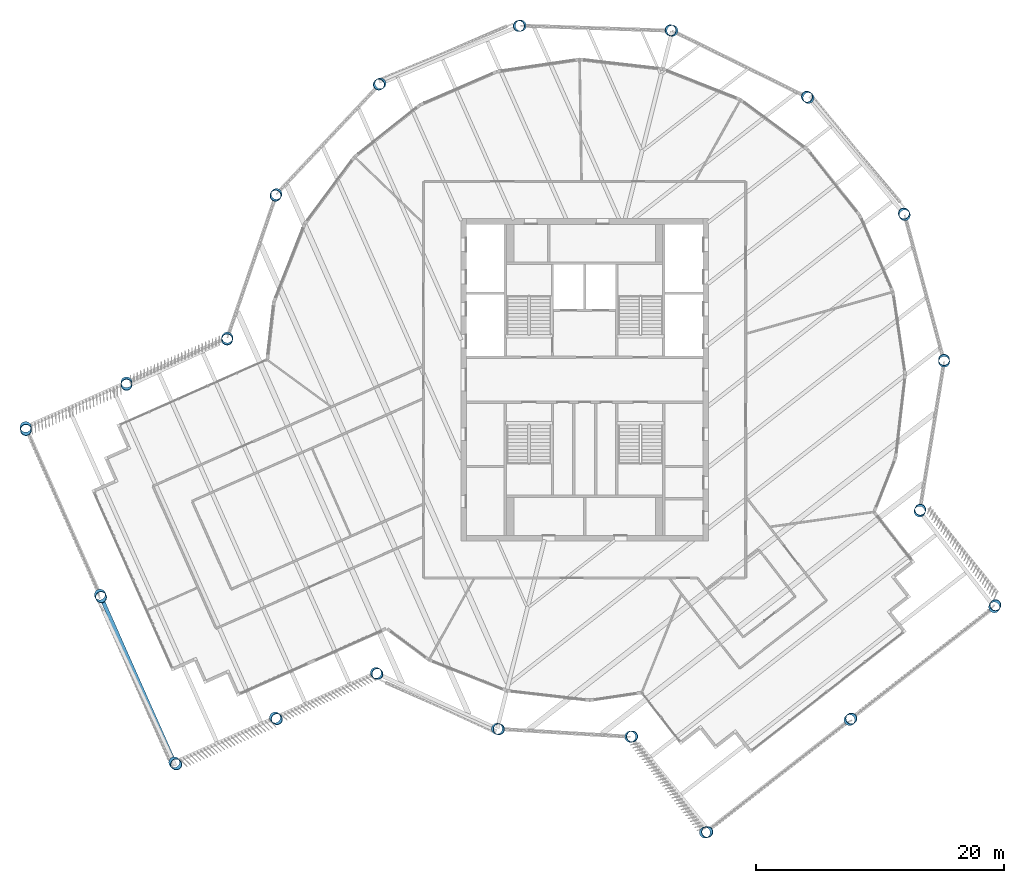
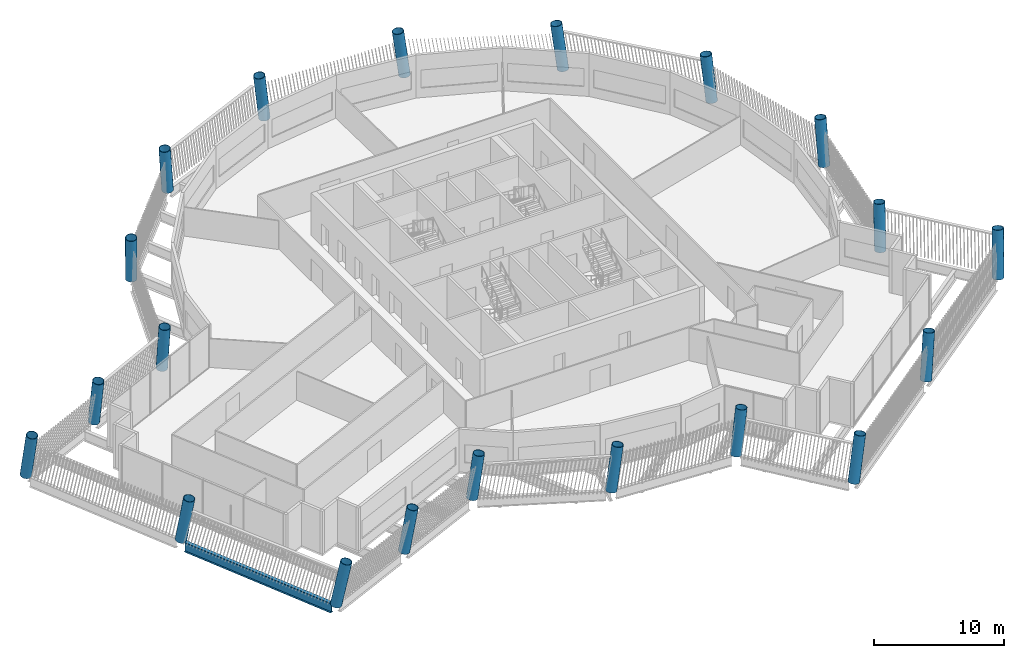
# One storey, part 1 of 28: 20 columns, 1 beam.
"""IFC4 building model written with IfcOpenShell, lengths in metres."""

from ifc_helpers import new_model, si_unit, direction, frame, origin, origin_2d, place, context, subcontext, project, spatial, hollow_circle, i_section, extrude, material, material_profile, profile_set, type_object, element, save


model = new_model("IFC4")

# Units and contexts
model_context = context("Model", 3, precision=1e-05, world=origin(), true_north=direction((0.0, 1.0)))
body_context = subcontext(model_context, "Body", "Model", "MODEL_VIEW")
ifc_project = project(units=[si_unit("LENGTHUNIT", "METRE"), si_unit("AREAUNIT", "SQUARE_METRE"), si_unit("VOLUMEUNIT", "CUBIC_METRE"), si_unit("PLANEANGLEUNIT", "RADIAN"), si_unit("MASSUNIT", "GRAM", prefix="KILO")], contexts=[model_context])

# Site, building, storey
site_placement = place(None, origin())
site = spatial("IfcSite", under=ifc_project, at=site_placement, CompositionType="ELEMENT")
building_placement = place(site_placement, origin())
building = spatial("IfcBuilding", under=site, at=building_placement, Name="Tarsis Ring Headquarters", CompositionType="ELEMENT")
storey_placement = place(building_placement, frame((0.0, 0.0, 381.800048828125)))
storey = spatial("IfcBuildingStorey", under=building, at=storey_placement, Name="L90", CompositionType="ELEMENT", Elevation=381.800048828125)

# Columns
ifc_material = material(Name="Structural steel S355", Category="steel")
ifc_material_profile_1 = material_profile(ifc_material, hollow_circle(Radius=0.45703125, WallThickness=0.0400390625, at=origin_2d()), Name="CHS 914x40")
ifc_profile_set_1 = profile_set([ifc_material_profile_1], Name="Structural steel S355")
column_type = type_object("IfcColumnType", Name="XC Exo column CHS 914x40", PredefinedType="COLUMN", material=ifc_profile_set_1)
for number, where, z_axis, x_axis, name in (
    (1, (-7.066650390625, -28.17578125, 0.0009765625), (0.121062394658, -0.029198079932, 0.992215384243), (0.234459350688, 0.972125924392, 0.0), "Exo column XC8 F1"),
    (2, (3.68603515625, -28.813720703125, 0.0009765625), (0.123427521609, 0.016907089215, 0.99220955309), (-0.135712593189, 0.990748248573, 0.0), "Exo column XC8 AK"),
):
    element("IfcColumn", number, at=place(storey_placement, frame(where, z_axis=z_axis, x_axis=x_axis)), inside=storey, type_object=column_type, Name=name, PredefinedType="COLUMN", context=body_context, shape_type="SweptSolid", body=[
        extrude(hollow_circle(Radius=0.457275390625, WallThickness=0.0400390625, at=origin_2d()), origin(), (0.0, 0.0, 1.0), 4.23095703125),
    ])
column_1_placement = place(storey_placement, frame((9.711669921875, -36.548095703125, 0.001220703125), z_axis=(0.155501159291, 0.04282165553, 0.986907136096), x_axis=(-0.265495608553, 0.964112069128, 0.0)))
element("IfcColumn", 3, at=column_1_placement, inside=storey, type_object=column_type, Name="Exo column XC8 AT1", PredefinedType="COLUMN", context=body_context, shape_type="SweptSolid", body=[
    extrude(hollow_circle(Radius=0.457275390625, WallThickness=0.0400390625, at=origin_2d()), origin(), (0.0, 0.0, 1.0), 4.253173828125),
])
column_2_placement = place(storey_placement, frame((21.386962890625, -27.45263671875, 0.001220703125), z_axis=(0.116470607981, 0.092486290189, 0.988878599022), x_axis=(-0.621861216897, 0.783127465308, 0.0)))
element("IfcColumn", 4, at=column_2_placement, inside=storey, type_object=column_type, Name="Exo column XC8 AT2", PredefinedType="COLUMN", context=body_context, shape_type="SweptSolid", body=[
    extrude(hollow_circle(Radius=0.457275390625, WallThickness=0.0400390625, at=origin_2d()), origin(), (0.0, 0.0, 1.0), 4.24462890625),
])
column_3_placement = place(storey_placement, frame((33.06201171875, -18.35693359375, 0.001220703125), z_axis=(0.077032839308, 0.141724351901, 0.986904326542), x_axis=(-0.878601789013, 0.477555123878, 0.0)))
element("IfcColumn", 5, at=column_3_placement, inside=storey, type_object=column_type, Name="Exo column XC8 AT3", PredefinedType="COLUMN", context=body_context, shape_type="SweptSolid", body=[
    extrude(hollow_circle(Radius=0.457275390625, WallThickness=0.0400390625, at=origin_2d()), origin(), (0.0, 0.0, 1.0), 4.253173828125),
])
for number, where, z_axis, x_axis, name in (
    (6, (27.03662109375, -10.62255859375, 0.0009765625), (0.04448948619, 0.116330485292, 0.99221363819), (-0.934024558275, 0.35720879684, 0.0), "Exo column XC8 AJ"),
    (7, (29.011474609375, 1.466064453125, 0.0009765625), (-0.007386041506, 0.124350933173, 0.992210810166), (-0.998240666737, -0.059292253059, 0.0), "Exo column XC8 R1"),
    (8, (25.828125, 13.2939453125, 0.0009765625), (-0.058049696347, 0.110213638195, 0.992211261128), (-0.884777503487, -0.466013700789, 0.0), "Exo column XC8 R2"),
    (9, (18.05224609375, 22.758056640625, 0.0009765625), (-0.098269288876, 0.07651501882, 0.992213988391), (-0.614357512589, -0.789027785776, 0.0), "Exo column XC8 R3"),
    (10, (7.066650390625, 28.17578125, 0.0009765625), (-0.121062394658, 0.029198079932, 0.992215384243), (-0.234459350688, -0.972125924392, 0.0), "Exo column XC8 R4"),
    (11, (-5.17529296875, 28.583740234375, 0.0009765625), (-0.122388720856, -0.023312137306, 0.992208418258), (0.18711210789, -0.982338566422, 0.0), "Exo column XC8 R5"),
    (12, (-16.497314453125, 23.909423828125, 0.0009765625), (-0.101847032205, -0.0716679966, 0.99221513811), (0.575481928616, -0.817814495981, 0.0), "Exo column XC8 R6"),
    (13, (-24.8857421875, 14.98388671875, 0.0009765625), (-0.063300409846, -0.107327951061, 0.992206515315), (0.861350315994, -0.508011449809, 0.0), "Exo column XC8 R7"),
    (14, (-28.849609375, 3.39404296875, 0.0009765625), (-0.013444921676, -0.123831767883, 0.992212138277), (0.994157438445, -0.107939740521, 0.0), "Exo column XC8 BJ"),
):
    element("IfcColumn", number, at=place(storey_placement, frame(where, z_axis=z_axis, x_axis=x_axis)), inside=storey, type_object=column_type, Name=name, PredefinedType="COLUMN", context=body_context, shape_type="SweptSolid", body=[
        extrude(hollow_circle(Radius=0.457275390625, WallThickness=0.0400390625, at=origin_2d()), origin(), (0.0, 0.0, 1.0), 4.23095703125),
    ])
column_4_placement = place(storey_placement, frame((-36.987060546875, -0.215576171875, 0.001220703125), z_axis=(0.002297362457, -0.157828800776, 0.987463817956), x_axis=(0.99989407767, 0.014554498947, 0.0)))
element("IfcColumn", 15, at=column_4_placement, inside=storey, type_object=column_type, Name="Exo column XC8 BO1", PredefinedType="COLUMN", context=body_context, shape_type="SweptSolid", body=[
    extrude(hollow_circle(Radius=0.457275390625, WallThickness=0.0400390625, at=origin_2d()), origin(), (0.0, 0.0, 1.0), 4.250732421875),
])
column_5_placement = place(storey_placement, frame((-45.124755859375, -3.8251953125, 0.00146484375), z_axis=(0.01792526019, -0.191240833233, 0.981379451971), x_axis=(0.995635952151, 0.093322295217, 0.0)))
element("IfcColumn", 16, at=column_5_placement, inside=storey, type_object=column_type, Name="Exo column XC8 BT3", PredefinedType="COLUMN", context=body_context, shape_type="SweptSolid", body=[
    extrude(hollow_circle(Radius=0.457275390625, WallThickness=0.0400390625, at=origin_2d()), origin(), (0.0, 0.0, 1.0), 4.276611328125),
])
column_6_placement = place(storey_placement, frame((-39.1240234375, -17.35400390625, 0.001220703125), z_axis=(0.075266124378, -0.16557403501, 0.983321030718), x_axis=(0.910355708047, 0.413826636197, 0.0)))
element("IfcColumn", 17, at=column_6_placement, inside=storey, type_object=column_type, Name="Exo column XC8 BT2", PredefinedType="COLUMN", context=body_context, shape_type="SweptSolid", body=[
    extrude(hollow_circle(Radius=0.457275390625, WallThickness=0.0400390625, at=origin_2d()), origin(), (0.0, 0.0, 1.0), 4.268798828125),
])
column_7_placement = place(storey_placement, frame((-33.123046875, -30.8828125, 0.00146484375), z_axis=(0.132269938399, -0.139291605392, 0.981377864058), x_axis=(0.725147817366, 0.688593234769, 0.0)))
element("IfcColumn", 18, at=column_7_placement, inside=storey, type_object=column_type, Name="Exo column XC8 BT1", PredefinedType="COLUMN", context=body_context, shape_type="SweptSolid", body=[
    extrude(hollow_circle(Radius=0.457275390625, WallThickness=0.0400390625, at=origin_2d()), origin(), (0.0, 0.0, 1.0), 4.276611328125),
])
column_8_placement = place(storey_placement, frame((-24.9853515625, -27.273193359375, 0.001220703125), z_axis=(0.117337983135, -0.105563980912, 0.987465464534), x_axis=(0.66882398992, 0.743420789666, 0.0)))
element("IfcColumn", 19, at=column_8_placement, inside=storey, type_object=column_type, Name="Exo column XC8 BI1", PredefinedType="COLUMN", context=body_context, shape_type="SweptSolid", body=[
    extrude(hollow_circle(Radius=0.457275390625, WallThickness=0.0400390625, at=origin_2d()), origin(), (0.0, 0.0, 1.0), 4.250732421875),
])
column_9_placement = place(storey_placement, frame((-16.847900390625, -23.66357421875, 0.0009765625), z_axis=(0.102135073407, -0.071321441091, 0.992210501265), x_axis=(0.57252933228, 0.819884237974, 0.0)))
element("IfcColumn", 20, at=column_9_placement, inside=storey, type_object=column_type, Name="Exo column XC8 BK", PredefinedType="COLUMN", context=body_context, shape_type="SweptSolid", body=[
    extrude(hollow_circle(Radius=0.457275390625, WallThickness=0.0400390625, at=origin_2d()), origin(), (0.0, 0.0, 1.0), 4.23095703125),
])

# Beam
ifc_material_profile_2 = material_profile(ifc_material, i_section(OverallWidth=0.3046875, OverallDepth=0.91943359375, WebThickness=0.017333984375, FlangeThickness=0.02783203125, at=origin_2d()), Name="W36x170")
ifc_profile_set_2 = profile_set([ifc_material_profile_2], Name="Structural steel S355")
beam_type = type_object("IfcBeamType", Name="XG Ring girder W36x170", PredefinedType="BEAM", material=ifc_profile_set_2)
beam_placement = place(storey_placement, frame((-38.957275390625, -17.729736328125, -0.459716796875), z_axis=(0.405465779365, -0.914110224078, 0.0), x_axis=(0.914110224078, 0.405465779365, 0.0)))
element("IfcBeam", 21, at=beam_placement, inside=storey, type_object=beam_type, Name="Ring girder XG4", PredefinedType="BEAM", context=body_context, shape_type="SweptSolid", body=[
    extrude(i_section(OverallWidth=0.3046875, OverallDepth=0.91943359375, WebThickness=0.017333984375, FlangeThickness=0.02783203125, at=origin_2d()), origin(), (0.0, 0.0, 1.0), 13.97705078125),
])

save(model, "model.ifc")
